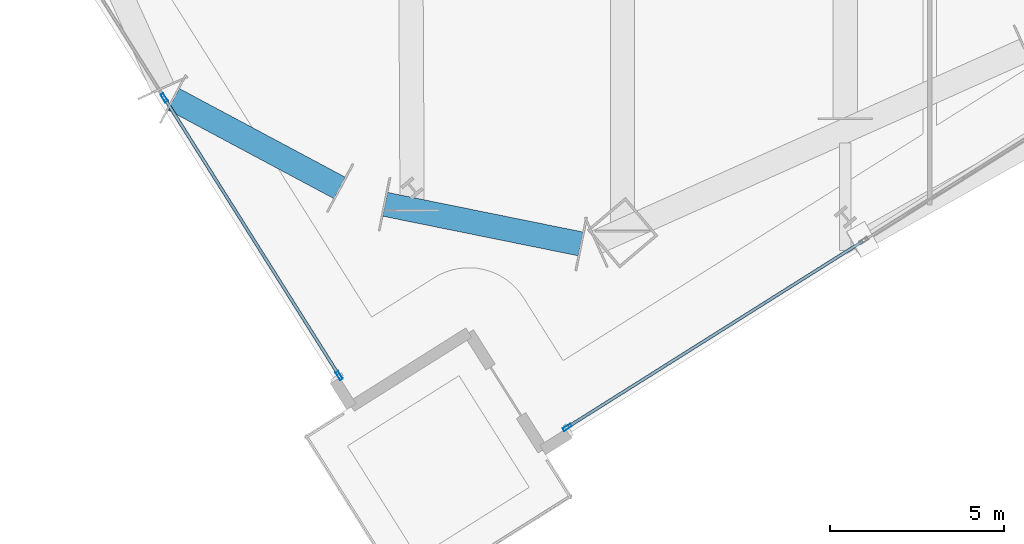
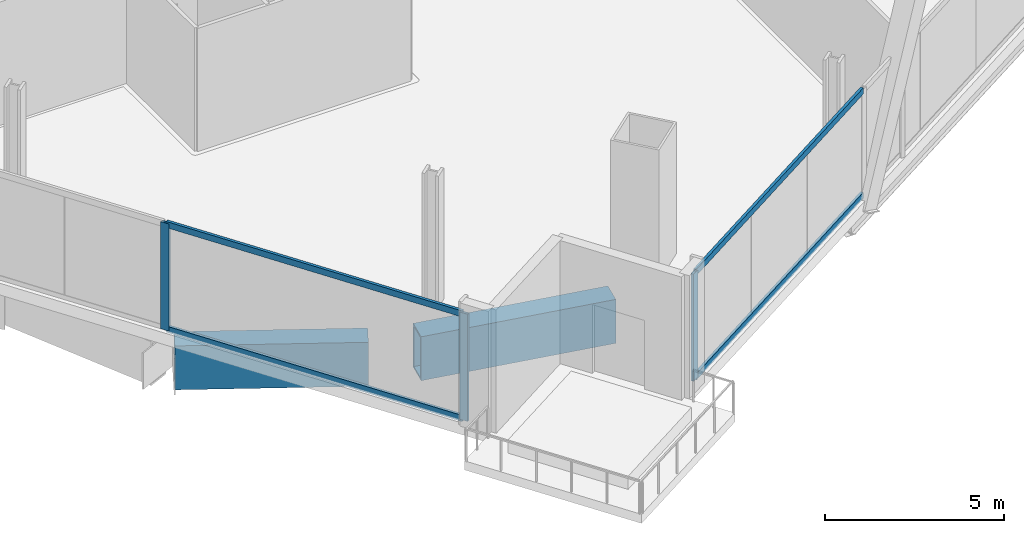
# One storey, part 2 of 29: 7 members, 2 beams, 2 elements without a shape of their own.
"""IFC4 building model written with IfcOpenShell, lengths in metres."""

from ifc_helpers import new_model, si_unit, direction, frame, origin, origin_2d, place, context, subcontext, project, spatial, hollow_rectangle, extrude, material, material_profile, profile_set, type_object, element, aggregate, save


model = new_model("IFC4")

# Units and contexts
model_context = context("Model", 3, precision=1e-05, world=origin(), true_north=direction((0.0, 1.0)))
body_context = subcontext(model_context, "Body", "Model", "MODEL_VIEW")
ifc_project = project(units=[si_unit("LENGTHUNIT", "METRE"), si_unit("AREAUNIT", "SQUARE_METRE"), si_unit("VOLUMEUNIT", "CUBIC_METRE"), si_unit("PLANEANGLEUNIT", "RADIAN"), si_unit("MASSUNIT", "GRAM", prefix="KILO")], contexts=[model_context])

# Site, building, storey
site_placement = place(None, origin())
site = spatial("IfcSite", under=ifc_project, at=site_placement, CompositionType="ELEMENT")
building_placement = place(site_placement, origin())
building = spatial("IfcBuilding", under=site, at=building_placement, Name="Haldenkirk Collegiate Tower", CompositionType="ELEMENT")
storey_placement = place(building_placement, frame((0.0, 0.0, 136.199951171875)))
storey = spatial("IfcBuildingStorey", under=building, at=storey_placement, Name="L33", CompositionType="ELEMENT", Elevation=136.199951171875)

# Beams
ifc_material_1 = material(Name="Steel ASTM A572 Grade 50", Category="steel")
ifc_material_profile_1 = material_profile(ifc_material_1, hollow_rectangle(XDim=0.699951171875, YDim=1.5, WallThickness=0.06005859375, at=origin_2d()), Name="BOX1500X700X60")
ifc_profile_set_1 = profile_set([ifc_material_profile_1], Name="Steel ASTM A572 Grade 50")
beam_type = type_object("IfcBeamType", Name="BM-TRANSFER-BOX1500X700X60", PredefinedType="BEAM", material=ifc_profile_set_1)
beam_1_placement = place(storey_placement, frame((26.3076171875, 1.477783203125, -1.14990234375), z_axis=(0.980077587146, -0.19861501246, 0.0), x_axis=(0.19861501246, 0.980077587146, 0.0)))
element("IfcBeam", 1, at=beam_1_placement, inside=storey, type_object=beam_type, Name="L33 sky-lobby perimeter transfer girder 01", PredefinedType="BEAM", context=body_context, shape_type="SweptSolid", body=[
    extrude(hollow_rectangle(XDim=0.699951171875, YDim=1.5, WallThickness=0.06005859375, at=origin_2d()), origin(), (0.0, 0.0, 1.0), 5.747802734375),
])
beam_2_placement = place(storey_placement, frame((20.21240234375, 4.505615234375, -1.14990234375), z_axis=(0.881987493029, -0.471272810737, 0.0), x_axis=(0.471272810737, 0.881987493029, 0.0)))
element("IfcBeam", 2, at=beam_2_placement, inside=storey, type_object=beam_type, Name="L33 sky-lobby perimeter transfer girder 16", PredefinedType="BEAM", context=body_context, shape_type="SweptSolid", body=[
    extrude(hollow_rectangle(XDim=0.699951171875, YDim=1.5, WallThickness=0.06005859375, at=origin_2d()), origin(), (0.0, 0.0, 1.0), 5.42236328125),
])

# Curtain wall, member
ifc_material_2 = material(Name="Anodised architectural bronze aluminium", Category="aluminium")
curtain_wall_type = type_object("IfcCurtainWallType", Name="CW-SYS4-SKYGARDEN", PredefinedType="USERDEFINED", material=ifc_material_2)
curtain_wall_1_placement = place(storey_placement, origin())
curtain_wall_1 = element("IfcCurtainWall", 3, at=curtain_wall_1_placement, inside=storey, type_object=curtain_wall_type, Name="L33 Sky-garden tall bronze curtain wall", ObjectType="UNITISED CURTAIN WALL", PredefinedType="USERDEFINED")
ifc_material_profile_2 = material_profile(ifc_material_2, hollow_rectangle(XDim=0.090087890625, YDim=0.260009765625, WallThickness=0.0048828125, at=origin_2d()), Name="CW-MUL-04")
ifc_profile_set_2 = profile_set([ifc_material_profile_2], Name="Anodised architectural bronze aluminium")
member_type_1 = type_object("IfcMemberType", Name="CW-MUL-04", PredefinedType="MULLION", material=ifc_profile_set_2)
member_1_placement = place(storey_placement, frame((31.553466796875, -4.94970703125, 0.0), z_axis=(0.0, 0.0, 1.0), x_axis=(0.532875393956, -0.846193721624, 0.0)))
member_1 = element("IfcMember", 4, at=member_1_placement, type_object=member_type_1, Name="CW-04 mullion 5", PredefinedType="MULLION", context=body_context, shape_type="SweptSolid", body=[
    extrude(hollow_rectangle(XDim=0.090087890625, YDim=0.260009765625, WallThickness=0.0048828125, at=origin_2d()), origin(), (0.0, 0.0, 1.0), 3.6611328125),
])

# Curtain wall, members
curtain_wall_2_placement = place(storey_placement, origin())
curtain_wall_2 = element("IfcCurtainWall", 5, at=curtain_wall_2_placement, inside=storey, type_object=curtain_wall_type, Name="L33 Sky-garden tall bronze curtain wall", ObjectType="UNITISED CURTAIN WALL", PredefinedType="USERDEFINED")
member_2_placement = place(storey_placement, frame((24.982177734375, -3.456787109375, 0.0), z_axis=(0.0, 0.0, 1.0), x_axis=(-0.846192099718, -0.532877969496, 0.0)))
member_2 = element("IfcMember", 6, at=member_2_placement, type_object=member_type_1, Name="CW-04 mullion 1", PredefinedType="MULLION", context=body_context, shape_type="SweptSolid", body=[
    extrude(hollow_rectangle(XDim=0.090087890625, YDim=0.260009765625, WallThickness=0.0048828125, at=origin_2d()), origin(), (0.0, 0.0, 1.0), 3.6611328125),
])
member_3_placement = place(storey_placement, frame((19.94384765625, 4.5439453125, 0.0), z_axis=(0.0, 0.0, 1.0), x_axis=(-0.846192099718, -0.532877969496, 0.0)))
member_3 = element("IfcMember", 7, at=member_3_placement, type_object=member_type_1, Name="CW-04 mullion 2", PredefinedType="MULLION", context=body_context, shape_type="SweptSolid", body=[
    extrude(hollow_rectangle(XDim=0.090087890625, YDim=0.260009765625, WallThickness=0.0048828125, at=origin_2d()), origin(), (0.0, 0.0, 1.0), 3.6611328125),
])

# Member
ifc_material_profile_3 = material_profile(ifc_material_2, hollow_rectangle(XDim=0.090087890625, YDim=0.2099609375, WallThickness=0.0048828125, at=origin_2d()), Name="CW-TRN-04")
ifc_profile_set_3 = profile_set([ifc_material_profile_3], Name="Anodised architectural bronze aluminium")
member_type_2 = type_object("IfcMemberType", Name="CW-TRN-04", PredefinedType="USERDEFINED", material=ifc_profile_set_3)
member_4_placement = place(storey_placement, frame((40.066162109375, 0.410888671875, 0.045166015625), z_axis=(-0.846196606927, -0.532870812135, 0.0), x_axis=(0.532870812135, -0.846196606927, 0.0)))
member_4 = element("IfcMember", 8, at=member_4_placement, type_object=member_type_2, Name="CW-04 transom 4.1", ObjectType="TRANSOM", PredefinedType="USERDEFINED", context=body_context, shape_type="SweptSolid", body=[
    extrude(hollow_rectangle(XDim=0.090087890625, YDim=0.2099609375, WallThickness=0.0048828125, at=origin_2d()), origin(), (0.0, 0.0, 1.0), 10.014892578125),
])

member_5_placement = place(storey_placement, frame((40.066162109375, 0.410888671875, 3.615966796875), z_axis=(-0.846196606927, -0.532870812135, 0.0), x_axis=(0.532870812135, -0.846196606927, 0.0)))
member_5 = element("IfcMember", 9, at=member_5_placement, type_object=member_type_2, Name="CW-04 transom 4.2", ObjectType="TRANSOM", PredefinedType="USERDEFINED", context=body_context, shape_type="SweptSolid", body=[
    extrude(hollow_rectangle(XDim=0.090087890625, YDim=0.2099609375, WallThickness=0.0048828125, at=origin_2d()), origin(), (0.0, 0.0, 1.0), 10.014892578125),
])

aggregate(curtain_wall_1, [member_1, member_4, member_5])

member_6_placement = place(storey_placement, frame((24.958251953125, -3.418701171875, 0.045166015625), z_axis=(-0.532885176361, 0.84618756125, 0.0), x_axis=(-0.84618756125, -0.532885176361, 0.0)))
member_6 = element("IfcMember", 10, at=member_6_placement, type_object=member_type_2, Name="CW-04 transom 1.1", ObjectType="TRANSOM", PredefinedType="USERDEFINED", context=body_context, shape_type="SweptSolid", body=[
    extrude(hollow_rectangle(XDim=0.090087890625, YDim=0.2099609375, WallThickness=0.0048828125, at=origin_2d()), origin(), (0.0, 0.0, 1.0), 9.364990234375),
])

member_7_placement = place(storey_placement, frame((24.958251953125, -3.418701171875, 3.615966796875), z_axis=(-0.532885176361, 0.84618756125, 0.0), x_axis=(-0.84618756125, -0.532885176361, 0.0)))
member_7 = element("IfcMember", 11, at=member_7_placement, type_object=member_type_2, Name="CW-04 transom 1.2", ObjectType="TRANSOM", PredefinedType="USERDEFINED", context=body_context, shape_type="SweptSolid", body=[
    extrude(hollow_rectangle(XDim=0.090087890625, YDim=0.2099609375, WallThickness=0.0048828125, at=origin_2d()), origin(), (0.0, 0.0, 1.0), 9.364990234375),
])

aggregate(curtain_wall_2, [member_2, member_3, member_6, member_7])

save(model, "model.ifc")
